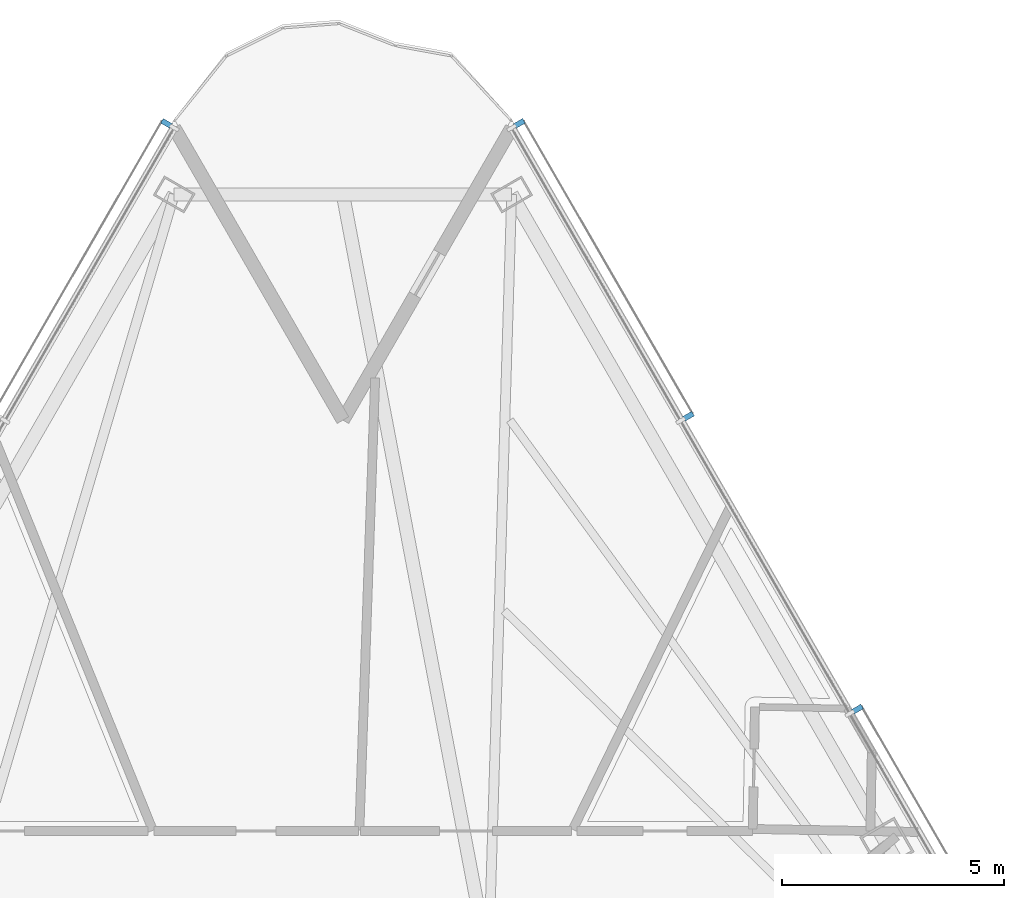
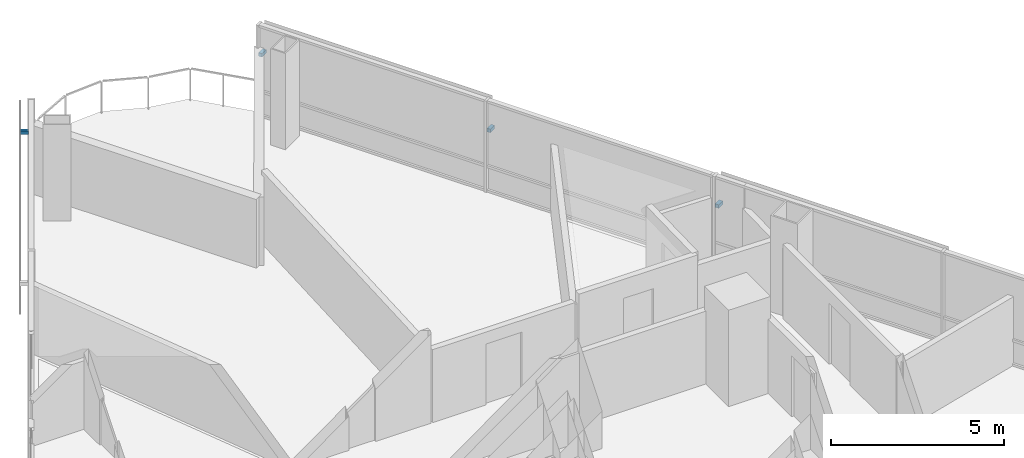
# One storey, part 13 of 16: 4 discrete accessories.
"""IFC4 building model written with IfcOpenShell, lengths in metres."""

from ifc_helpers import new_model, si_unit, direction, frame, origin, origin_2d, place, context, subcontext, project, spatial, rectangle, extrude, material, type_object, element, save


model = new_model("IFC4")

# Units and contexts
model_context = context("Model", 3, precision=1e-05, world=origin(), true_north=direction((0.0, 1.0)))
body_context = subcontext(model_context, "Body", "Model", "MODEL_VIEW")
ifc_project = project(units=[si_unit("LENGTHUNIT", "METRE"), si_unit("AREAUNIT", "SQUARE_METRE"), si_unit("VOLUMEUNIT", "CUBIC_METRE"), si_unit("PLANEANGLEUNIT", "RADIAN"), si_unit("MASSUNIT", "GRAM", prefix="KILO")], contexts=[model_context])

# Site, building, storey
site_placement = place(None, origin())
site = spatial("IfcSite", under=ifc_project, at=site_placement, CompositionType="ELEMENT")
building_placement = place(site_placement, origin())
building = spatial("IfcBuilding", under=site, at=building_placement, Name="Tharavind Bronze Gate", CompositionType="ELEMENT")
storey_placement = place(building_placement, frame((0.0, 0.0, 45.449951171875)))
storey = spatial("IfcBuildingStorey", under=building, at=storey_placement, Name="L10", CompositionType="ELEMENT", Elevation=45.449951171875)

# Discrete accessories
ifc_material = material(Name="Stainless Steel 316", Category="steel")
discrete_accessory_type = type_object("IfcDiscreteAccessoryType", Name="SOLAR SCREEN STANDOFF BRACKET", PredefinedType="BRACKET", material=ifc_material)
for number, where, z_axis, x_axis, name in (
    (1, (-3.97314453125, 26.518310546875, 2.00244140625), (0.0, 0.0, 1.0), (-0.500001511499, -0.866024531118, 0.0), "CW-L10-S1 solar screen bracket 1.1"),
    (2, (11.589111328125, 13.326904296875, 2.00244140625), (0.0, 0.0, 1.0), (-0.500001511499, 0.866024531118, 0.0), "CW-L10-S3 solar screen bracket 5.2"),
    (3, (7.78125, 19.922607421875, 2.00244140625), (0.0, 0.0, 1.0), (-0.500001511499, 0.866024531118, 0.0), "CW-L10-S3 solar screen bracket 7.1"),
    (4, (3.97314453125, 26.518310546875, 2.00244140625), (0.0, 0.0, 1.0), (-0.500001511499, 0.866024531118, 0.0), "CW-L10-S3 solar screen bracket 7.2"),
):
    element("IfcDiscreteAccessory", number, at=place(storey_placement, frame(where, z_axis=z_axis, x_axis=x_axis)), inside=storey, type_object=discrete_accessory_type, Name=name, PredefinedType="BRACKET", context=body_context, shape_type="SweptSolid", body=[
        extrude(rectangle(XDim=0.1201171875, YDim=0.239990234375, at=origin_2d()), origin(), (0.0, 0.0, 1.0), 0.1201171875),
    ])

save(model, "model.ifc")
